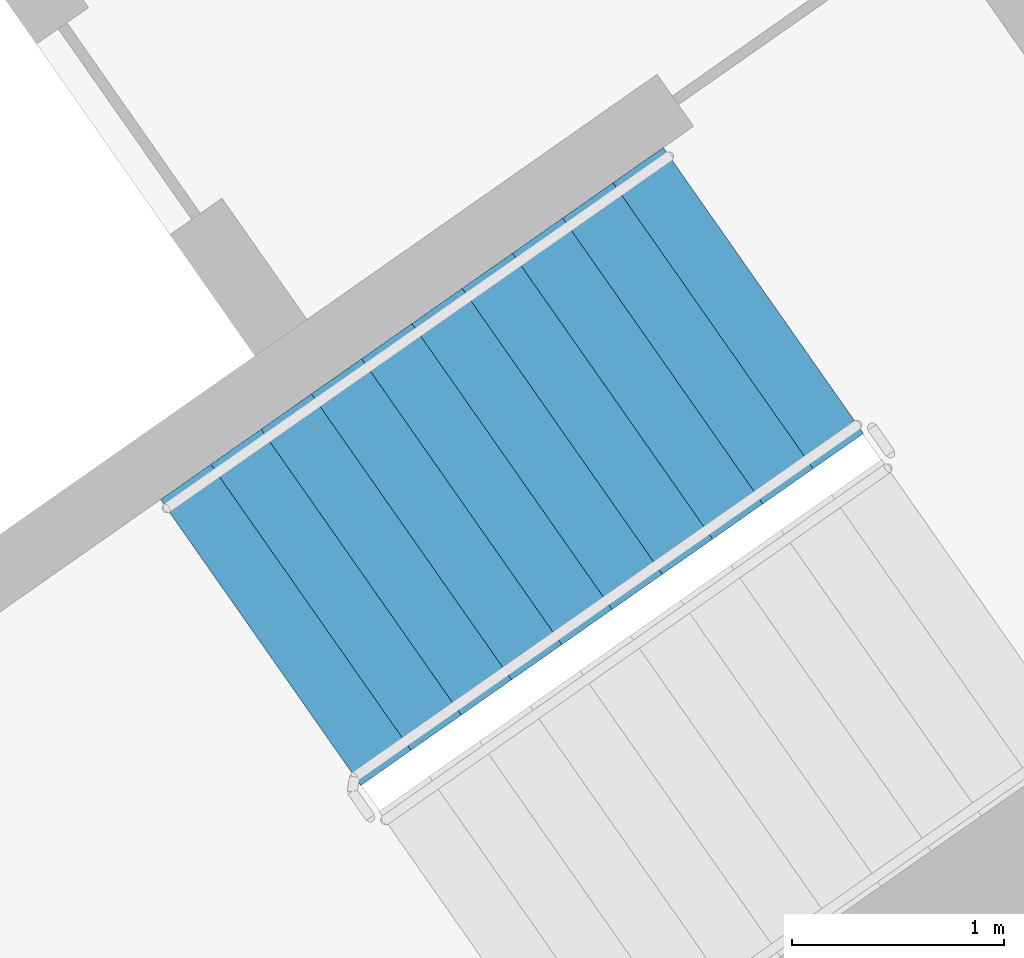
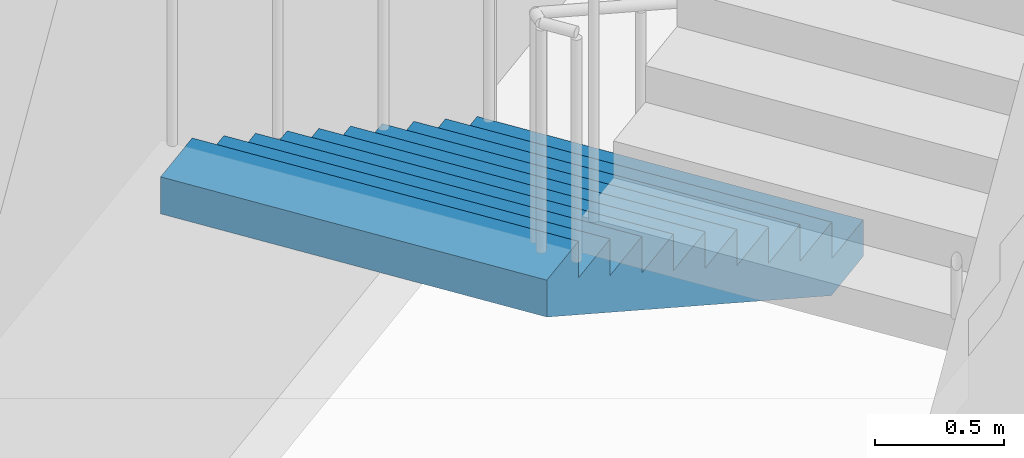
# One storey, part 15 of 28: 1 stair flight, 1 element without a shape of its own.
"""IFC4 building model written with IfcOpenShell, lengths in metres."""

from ifc_helpers import new_model, si_unit, direction, frame, origin, place, context, subcontext, project, spatial, faceted_brep, material, type_object, element, aggregate, save


model = new_model("IFC4")

# Units and contexts
model_context = context("Model", 3, precision=1e-05, world=origin(), true_north=direction((0.0, 1.0)))
body_context = subcontext(model_context, "Body", "Model", "MODEL_VIEW")
ifc_project = project(units=[si_unit("LENGTHUNIT", "METRE"), si_unit("AREAUNIT", "SQUARE_METRE"), si_unit("VOLUMEUNIT", "CUBIC_METRE"), si_unit("PLANEANGLEUNIT", "RADIAN"), si_unit("MASSUNIT", "GRAM", prefix="KILO")], contexts=[model_context])

# Site, building, storey
site_placement = place(None, origin())
site = spatial("IfcSite", under=ifc_project, at=site_placement, CompositionType="ELEMENT")
building_placement = place(site_placement, origin())
building = spatial("IfcBuilding", under=site, at=building_placement, Name="Qamariyya Broadcast Tower", CompositionType="ELEMENT")
storey_placement = place(building_placement, frame((0.0, 0.0, 269.5)))
storey = spatial("IfcBuildingStorey", under=building, at=storey_placement, Name="L65", CompositionType="ELEMENT", Elevation=269.5)

# Stair, stair flight
ifc_material = material(Name="Concrete C50/60", Category="concrete")
stair_type = type_object("IfcStairType", Name="Exit stair 22 risers of 173 mm", PredefinedType="HALF_TURN_STAIR", material=ifc_material)
stair_placement = place(storey_placement, origin())
stair = element("IfcStair", 1, at=stair_placement, inside=storey, type_object=stair_type, Name="L65 Stair E1", PredefinedType="HALF_TURN_STAIR")
stair_flight_type = type_object("IfcStairFlightType", Name="Exit stair flight 11 risers of 173 mm", PredefinedType="STRAIGHT", material=ifc_material)
stair_flight_placement = place(storey_placement, frame((46.036376953125, -55.508056640625, 0.0), z_axis=(0.0, 0.0, 1.0), x_axis=(-0.819152044289, -0.573576436351, 0.0)))
stair_flight = element("IfcStairFlight", 2, at=stair_flight_placement, type_object=stair_flight_type, Name="ST-E1 flight 1", NumberOfRisers=11, NumberOfTreads=10, PredefinedType="STRAIGHT", RiserHeight=0.172727273, TreadLength=0.29, context=body_context, shape_type="Brep", body=[
    faceted_brep([(0.0, 0.824951171875, 0.0), (0.0, 0.824951171875, 0.172607421875), (0.2900390625, 0.824951171875, 0.172607421875), (0.2900390625, 0.824951171875, 0.345458984375), (0.580078125, 0.824951171875, 0.345458984375), (0.580078125, 0.824951171875, 0.51806640625), (0.8701171875, 0.824951171875, 0.51806640625), (0.8701171875, 0.824951171875, 0.69091796875), (1.159912109375, 0.824951171875, 0.69091796875), (1.159912109375, 0.824951171875, 0.863525390625), (1.449951171875, 0.824951171875, 0.863525390625), (1.449951171875, 0.824951171875, 1.036376953125), (1.739990234375, 0.824951171875, 1.036376953125), (1.739990234375, 0.824951171875, 1.208984375), (2.030029296875, 0.824951171875, 1.208984375), (2.030029296875, 0.824951171875, 1.3818359375), (2.320068359375, 0.824951171875, 1.3818359375), (2.320068359375, 0.824951171875, 1.554443359375), (2.610107421875, 0.824951171875, 1.554443359375), (2.610107421875, 0.824951171875, 1.727294921875), (2.89990234375, 0.824951171875, 1.727294921875), (2.89990234375, 0.824951171875, 1.552734375), (0.29296875, 0.824951171875, 0.0), (0.29296875, -0.824951171875, 0.0), (2.89990234375, -0.824951171875, 1.552734375), (2.89990234375, -0.824951171875, 1.727294921875), (2.610107421875, -0.824951171875, 1.727294921875), (2.610107421875, -0.824951171875, 1.554443359375), (2.320068359375, -0.824951171875, 1.554443359375), (2.320068359375, -0.824951171875, 1.3818359375), (2.030029296875, -0.824951171875, 1.3818359375), (2.030029296875, -0.824951171875, 1.208984375), (1.739990234375, -0.824951171875, 1.208984375), (1.739990234375, -0.824951171875, 1.036376953125), (1.449951171875, -0.824951171875, 1.036376953125), (1.449951171875, -0.824951171875, 0.863525390625), (1.159912109375, -0.824951171875, 0.863525390625), (1.159912109375, -0.824951171875, 0.69091796875), (0.8701171875, -0.824951171875, 0.69091796875), (0.8701171875, -0.824951171875, 0.51806640625), (0.580078125, -0.824951171875, 0.51806640625), (0.580078125, -0.824951171875, 0.345458984375), (0.2900390625, -0.824951171875, 0.345458984375), (0.2900390625, -0.824951171875, 0.172607421875), (0.0, -0.824951171875, 0.172607421875), (0.0, -0.824951171875, 0.0), (0.0, 0.10009765625, 0.0), (0.0, 0.086669921875, 0.0), (0.0, 0.0732421875, 0.0), (0.0, 0.06005859375, 0.0), (0.0, 0.046630859375, 0.0), (0.0, 0.033447265625, 0.0), (0.0, 0.02001953125, 0.0), (0.0, 0.006591796875, 0.0), (0.0, -0.006591796875, 0.0), (0.0, -0.02001953125, 0.0), (0.0, -0.033447265625, 0.0), (0.0, -0.046630859375, 0.0), (0.0, -0.06005859375, 0.0), (0.0, -0.0732421875, 0.0), (0.0, -0.086669921875, 0.0), (0.0, -0.10009765625, 0.0), (0.0, -0.10009765625, 0.172607421875), (0.0, -0.086669921875, 0.172607421875), (0.0, -0.0732421875, 0.172607421875), (0.0, -0.06005859375, 0.172607421875), (0.0, -0.046630859375, 0.172607421875), (0.0, -0.033447265625, 0.172607421875), (0.0, -0.02001953125, 0.172607421875), (0.0, -0.006591796875, 0.172607421875), (0.0, 0.006591796875, 0.172607421875), (0.0, 0.02001953125, 0.172607421875), (0.0, 0.033447265625, 0.172607421875), (0.0, 0.046630859375, 0.172607421875), (0.0, 0.06005859375, 0.172607421875), (0.0, 0.0732421875, 0.172607421875), (0.0, 0.086669921875, 0.172607421875), (0.0, 0.10009765625, 0.172607421875), (0.2900390625, -0.10009765625, 0.172607421875), (0.2900390625, -0.086669921875, 0.172607421875), (0.2900390625, -0.0732421875, 0.172607421875), (0.2900390625, -0.06005859375, 0.172607421875), (0.2900390625, -0.046630859375, 0.172607421875), (0.2900390625, -0.033447265625, 0.172607421875), (0.2900390625, -0.02001953125, 0.172607421875), (0.2900390625, -0.006591796875, 0.172607421875), (0.2900390625, 0.006591796875, 0.172607421875), (0.2900390625, 0.02001953125, 0.172607421875), (0.2900390625, 0.033447265625, 0.172607421875), (0.2900390625, 0.046630859375, 0.172607421875), (0.2900390625, 0.06005859375, 0.172607421875), (0.2900390625, 0.0732421875, 0.172607421875), (0.2900390625, 0.086669921875, 0.172607421875), (0.2900390625, 0.10009765625, 0.172607421875), (0.2900390625, -0.10009765625, 0.345458984375), (0.2900390625, -0.086669921875, 0.345458984375), (0.2900390625, -0.0732421875, 0.345458984375), (0.2900390625, -0.06005859375, 0.345458984375), (0.2900390625, -0.046630859375, 0.345458984375), (0.2900390625, -0.033447265625, 0.345458984375), (0.2900390625, -0.02001953125, 0.345458984375), (0.2900390625, -0.006591796875, 0.345458984375), (0.2900390625, 0.006591796875, 0.345458984375), (0.2900390625, 0.02001953125, 0.345458984375), (0.2900390625, 0.033447265625, 0.345458984375), (0.2900390625, 0.046630859375, 0.345458984375), (0.2900390625, 0.06005859375, 0.345458984375), (0.2900390625, 0.0732421875, 0.345458984375), (0.2900390625, 0.086669921875, 0.345458984375), (0.2900390625, 0.10009765625, 0.345458984375), (0.580078125, -0.10009765625, 0.345458984375), (0.580078125, -0.086669921875, 0.345458984375), (0.580078125, -0.0732421875, 0.345458984375), (0.580078125, -0.06005859375, 0.345458984375), (0.580078125, -0.046630859375, 0.345458984375), (0.580078125, -0.033447265625, 0.345458984375), (0.580078125, -0.02001953125, 0.345458984375), (0.580078125, -0.006591796875, 0.345458984375), (0.580078125, 0.006591796875, 0.345458984375), (0.580078125, 0.02001953125, 0.345458984375), (0.580078125, 0.033447265625, 0.345458984375), (0.580078125, 0.046630859375, 0.345458984375), (0.580078125, 0.06005859375, 0.345458984375), (0.580078125, 0.0732421875, 0.345458984375), (0.580078125, 0.086669921875, 0.345458984375), (0.580078125, 0.10009765625, 0.345458984375), (0.580078125, -0.10009765625, 0.51806640625), (0.580078125, -0.086669921875, 0.51806640625), (0.580078125, -0.0732421875, 0.51806640625), (0.580078125, -0.06005859375, 0.51806640625), (0.580078125, -0.046630859375, 0.51806640625), (0.580078125, -0.033447265625, 0.51806640625), (0.580078125, -0.02001953125, 0.51806640625), (0.580078125, -0.006591796875, 0.51806640625), (0.580078125, 0.006591796875, 0.51806640625), (0.580078125, 0.02001953125, 0.51806640625), (0.580078125, 0.033447265625, 0.51806640625), (0.580078125, 0.046630859375, 0.51806640625), (0.580078125, 0.06005859375, 0.51806640625), (0.580078125, 0.0732421875, 0.51806640625), (0.580078125, 0.086669921875, 0.51806640625), (0.580078125, 0.10009765625, 0.51806640625), (0.8701171875, -0.10009765625, 0.51806640625), (0.8701171875, -0.086669921875, 0.51806640625), (0.8701171875, -0.0732421875, 0.51806640625), (0.8701171875, -0.06005859375, 0.51806640625), (0.8701171875, -0.046630859375, 0.51806640625), (0.8701171875, -0.033447265625, 0.51806640625), (0.8701171875, -0.02001953125, 0.51806640625), (0.8701171875, -0.006591796875, 0.51806640625), (0.8701171875, 0.006591796875, 0.51806640625), (0.8701171875, 0.02001953125, 0.51806640625), (0.8701171875, 0.033447265625, 0.51806640625), (0.8701171875, 0.046630859375, 0.51806640625), (0.8701171875, 0.06005859375, 0.51806640625), (0.8701171875, 0.0732421875, 0.51806640625), (0.8701171875, 0.086669921875, 0.51806640625), (0.8701171875, 0.10009765625, 0.51806640625), (0.8701171875, -0.10009765625, 0.69091796875), (0.8701171875, -0.086669921875, 0.69091796875), (0.8701171875, -0.0732421875, 0.69091796875), (0.8701171875, -0.06005859375, 0.69091796875), (0.8701171875, -0.046630859375, 0.69091796875), (0.8701171875, -0.033447265625, 0.69091796875), (0.8701171875, -0.02001953125, 0.69091796875), (0.8701171875, -0.006591796875, 0.69091796875), (0.8701171875, 0.006591796875, 0.69091796875), (0.8701171875, 0.02001953125, 0.69091796875), (0.8701171875, 0.033447265625, 0.69091796875), (0.8701171875, 0.046630859375, 0.69091796875), (0.8701171875, 0.06005859375, 0.69091796875), (0.8701171875, 0.0732421875, 0.69091796875), (0.8701171875, 0.086669921875, 0.69091796875), (0.8701171875, 0.10009765625, 0.69091796875), (1.159912109375, -0.10009765625, 0.69091796875), (1.159912109375, -0.086669921875, 0.69091796875), (1.159912109375, -0.0732421875, 0.69091796875), (1.159912109375, -0.06005859375, 0.69091796875), (1.159912109375, -0.046630859375, 0.69091796875), (1.159912109375, -0.033447265625, 0.69091796875), (1.159912109375, -0.02001953125, 0.69091796875), (1.159912109375, -0.006591796875, 0.69091796875), (1.159912109375, 0.006591796875, 0.69091796875), (1.159912109375, 0.02001953125, 0.69091796875), (1.159912109375, 0.033447265625, 0.69091796875), (1.159912109375, 0.046630859375, 0.69091796875), (1.159912109375, 0.06005859375, 0.69091796875), (1.159912109375, 0.0732421875, 0.69091796875), (1.159912109375, 0.086669921875, 0.69091796875), (1.159912109375, 0.10009765625, 0.69091796875), (1.159912109375, -0.10009765625, 0.863525390625), (1.159912109375, -0.086669921875, 0.863525390625), (1.159912109375, -0.0732421875, 0.863525390625), (1.159912109375, -0.06005859375, 0.863525390625), (1.159912109375, -0.046630859375, 0.863525390625), (1.159912109375, -0.033447265625, 0.863525390625), (1.159912109375, -0.02001953125, 0.863525390625), (1.159912109375, -0.006591796875, 0.863525390625), (1.159912109375, 0.006591796875, 0.863525390625), (1.159912109375, 0.02001953125, 0.863525390625), (1.159912109375, 0.033447265625, 0.863525390625), (1.159912109375, 0.046630859375, 0.863525390625), (1.159912109375, 0.06005859375, 0.863525390625), (1.159912109375, 0.0732421875, 0.863525390625), (1.159912109375, 0.086669921875, 0.863525390625), (1.159912109375, 0.10009765625, 0.863525390625), (1.449951171875, -0.10009765625, 0.863525390625), (1.449951171875, -0.086669921875, 0.863525390625), (1.449951171875, -0.0732421875, 0.863525390625), (1.449951171875, -0.06005859375, 0.863525390625), (1.449951171875, -0.046630859375, 0.863525390625), (1.449951171875, -0.033447265625, 0.863525390625), (1.449951171875, -0.02001953125, 0.863525390625), (1.449951171875, -0.006591796875, 0.863525390625), (1.449951171875, 0.006591796875, 0.863525390625), (1.449951171875, 0.02001953125, 0.863525390625), (1.449951171875, 0.033447265625, 0.863525390625), (1.449951171875, 0.046630859375, 0.863525390625), (1.449951171875, 0.06005859375, 0.863525390625), (1.449951171875, 0.0732421875, 0.863525390625), (1.449951171875, 0.086669921875, 0.863525390625), (1.449951171875, 0.10009765625, 0.863525390625), (1.449951171875, -0.10009765625, 1.036376953125), (1.449951171875, -0.086669921875, 1.036376953125), (1.449951171875, -0.0732421875, 1.036376953125), (1.449951171875, -0.06005859375, 1.036376953125), (1.449951171875, -0.046630859375, 1.036376953125), (1.449951171875, -0.033447265625, 1.036376953125), (1.449951171875, -0.02001953125, 1.036376953125), (1.449951171875, -0.006591796875, 1.036376953125), (1.449951171875, 0.006591796875, 1.036376953125), (1.449951171875, 0.02001953125, 1.036376953125), (1.449951171875, 0.033447265625, 1.036376953125), (1.449951171875, 0.046630859375, 1.036376953125), (1.449951171875, 0.06005859375, 1.036376953125), (1.449951171875, 0.0732421875, 1.036376953125), (1.449951171875, 0.086669921875, 1.036376953125), (1.449951171875, 0.10009765625, 1.036376953125), (1.739990234375, -0.10009765625, 1.036376953125), (1.739990234375, -0.086669921875, 1.036376953125), (1.739990234375, -0.0732421875, 1.036376953125), (1.739990234375, -0.06005859375, 1.036376953125), (1.739990234375, -0.046630859375, 1.036376953125), (1.739990234375, -0.033447265625, 1.036376953125), (1.739990234375, -0.02001953125, 1.036376953125), (1.739990234375, -0.006591796875, 1.036376953125), (1.739990234375, 0.006591796875, 1.036376953125), (1.739990234375, 0.02001953125, 1.036376953125), (1.739990234375, 0.033447265625, 1.036376953125), (1.739990234375, 0.046630859375, 1.036376953125), (1.739990234375, 0.06005859375, 1.036376953125), (1.739990234375, 0.0732421875, 1.036376953125), (1.739990234375, 0.086669921875, 1.036376953125), (1.739990234375, 0.10009765625, 1.036376953125), (1.739990234375, -0.10009765625, 1.208984375), (1.739990234375, -0.086669921875, 1.208984375), (1.739990234375, -0.0732421875, 1.208984375), (1.739990234375, -0.06005859375, 1.208984375), (1.739990234375, -0.046630859375, 1.208984375), (1.739990234375, -0.033447265625, 1.208984375), (1.739990234375, -0.02001953125, 1.208984375), (1.739990234375, -0.006591796875, 1.208984375), (1.739990234375, 0.006591796875, 1.208984375), (1.739990234375, 0.02001953125, 1.208984375), (1.739990234375, 0.033447265625, 1.208984375), (1.739990234375, 0.046630859375, 1.208984375), (1.739990234375, 0.06005859375, 1.208984375), (1.739990234375, 0.0732421875, 1.208984375), (1.739990234375, 0.086669921875, 1.208984375), (1.739990234375, 0.10009765625, 1.208984375), (2.030029296875, -0.10009765625, 1.208984375), (2.030029296875, -0.086669921875, 1.208984375), (2.030029296875, -0.0732421875, 1.208984375), (2.030029296875, -0.06005859375, 1.208984375), (2.030029296875, -0.046630859375, 1.208984375), (2.030029296875, -0.033447265625, 1.208984375), (2.030029296875, -0.02001953125, 1.208984375), (2.030029296875, -0.006591796875, 1.208984375), (2.030029296875, 0.006591796875, 1.208984375), (2.030029296875, 0.02001953125, 1.208984375), (2.030029296875, 0.033447265625, 1.208984375), (2.030029296875, 0.046630859375, 1.208984375), (2.030029296875, 0.06005859375, 1.208984375), (2.030029296875, 0.0732421875, 1.208984375), (2.030029296875, 0.086669921875, 1.208984375), (2.030029296875, 0.10009765625, 1.208984375), (2.030029296875, -0.10009765625, 1.3818359375), (2.030029296875, -0.086669921875, 1.3818359375), (2.030029296875, -0.0732421875, 1.3818359375), (2.030029296875, -0.06005859375, 1.3818359375), (2.030029296875, -0.046630859375, 1.3818359375), (2.030029296875, -0.033447265625, 1.3818359375), (2.030029296875, -0.02001953125, 1.3818359375), (2.030029296875, -0.006591796875, 1.3818359375), (2.030029296875, 0.006591796875, 1.3818359375), (2.030029296875, 0.02001953125, 1.3818359375), (2.030029296875, 0.033447265625, 1.3818359375), (2.030029296875, 0.046630859375, 1.3818359375), (2.030029296875, 0.06005859375, 1.3818359375), (2.030029296875, 0.0732421875, 1.3818359375), (2.030029296875, 0.086669921875, 1.3818359375), (2.030029296875, 0.10009765625, 1.3818359375), (2.320068359375, -0.10009765625, 1.3818359375), (2.320068359375, -0.086669921875, 1.3818359375), (2.320068359375, -0.0732421875, 1.3818359375), (2.320068359375, -0.06005859375, 1.3818359375), (2.320068359375, -0.046630859375, 1.3818359375), (2.320068359375, -0.033447265625, 1.3818359375), (2.320068359375, -0.02001953125, 1.3818359375), (2.320068359375, -0.006591796875, 1.3818359375), (2.320068359375, 0.006591796875, 1.3818359375), (2.320068359375, 0.02001953125, 1.3818359375), (2.320068359375, 0.033447265625, 1.3818359375), (2.320068359375, 0.046630859375, 1.3818359375), (2.320068359375, 0.06005859375, 1.3818359375), (2.320068359375, 0.0732421875, 1.3818359375), (2.320068359375, 0.086669921875, 1.3818359375), (2.320068359375, 0.10009765625, 1.3818359375), (2.320068359375, -0.10009765625, 1.554443359375), (2.320068359375, -0.086669921875, 1.554443359375), (2.320068359375, -0.0732421875, 1.554443359375), (2.320068359375, -0.06005859375, 1.554443359375), (2.320068359375, -0.046630859375, 1.554443359375), (2.320068359375, -0.033447265625, 1.554443359375), (2.320068359375, -0.02001953125, 1.554443359375), (2.320068359375, -0.006591796875, 1.554443359375), (2.320068359375, 0.006591796875, 1.554443359375), (2.320068359375, 0.02001953125, 1.554443359375), (2.320068359375, 0.033447265625, 1.554443359375), (2.320068359375, 0.046630859375, 1.554443359375), (2.320068359375, 0.06005859375, 1.554443359375), (2.320068359375, 0.0732421875, 1.554443359375), (2.320068359375, 0.086669921875, 1.554443359375), (2.320068359375, 0.10009765625, 1.554443359375), (2.610107421875, -0.10009765625, 1.554443359375), (2.610107421875, -0.086669921875, 1.554443359375), (2.610107421875, -0.0732421875, 1.554443359375), (2.610107421875, -0.06005859375, 1.554443359375), (2.610107421875, -0.046630859375, 1.554443359375), (2.610107421875, -0.033447265625, 1.554443359375), (2.610107421875, -0.02001953125, 1.554443359375), (2.610107421875, -0.006591796875, 1.554443359375), (2.610107421875, 0.006591796875, 1.554443359375), (2.610107421875, 0.02001953125, 1.554443359375), (2.610107421875, 0.033447265625, 1.554443359375), (2.610107421875, 0.046630859375, 1.554443359375), (2.610107421875, 0.06005859375, 1.554443359375), (2.610107421875, 0.0732421875, 1.554443359375), (2.610107421875, 0.086669921875, 1.554443359375), (2.610107421875, 0.10009765625, 1.554443359375), (2.610107421875, -0.10009765625, 1.727294921875), (2.610107421875, -0.086669921875, 1.727294921875), (2.610107421875, -0.0732421875, 1.727294921875), (2.610107421875, -0.06005859375, 1.727294921875), (2.610107421875, -0.046630859375, 1.727294921875), (2.610107421875, -0.033447265625, 1.727294921875), (2.610107421875, -0.02001953125, 1.727294921875), (2.610107421875, -0.006591796875, 1.727294921875), (2.610107421875, 0.006591796875, 1.727294921875), (2.610107421875, 0.02001953125, 1.727294921875), (2.610107421875, 0.033447265625, 1.727294921875), (2.610107421875, 0.046630859375, 1.727294921875), (2.610107421875, 0.06005859375, 1.727294921875), (2.610107421875, 0.0732421875, 1.727294921875), (2.610107421875, 0.086669921875, 1.727294921875), (2.610107421875, 0.10009765625, 1.727294921875), (2.89990234375, -0.10009765625, 1.727294921875), (2.89990234375, -0.086669921875, 1.727294921875), (2.89990234375, -0.0732421875, 1.727294921875), (2.89990234375, -0.06005859375, 1.727294921875), (2.89990234375, -0.046630859375, 1.727294921875), (2.89990234375, -0.033447265625, 1.727294921875), (2.89990234375, -0.02001953125, 1.727294921875), (2.89990234375, -0.006591796875, 1.727294921875), (2.89990234375, 0.006591796875, 1.727294921875), (2.89990234375, 0.02001953125, 1.727294921875), (2.89990234375, 0.033447265625, 1.727294921875), (2.89990234375, 0.046630859375, 1.727294921875), (2.89990234375, 0.06005859375, 1.727294921875), (2.89990234375, 0.0732421875, 1.727294921875), (2.89990234375, 0.086669921875, 1.727294921875), (2.89990234375, 0.10009765625, 1.727294921875), (2.89990234375, -0.10009765625, 1.552734375), (2.89990234375, -0.086669921875, 1.552734375), (2.89990234375, -0.0732421875, 1.552734375), (2.89990234375, -0.06005859375, 1.552734375), (2.89990234375, -0.046630859375, 1.552734375), (2.89990234375, -0.033447265625, 1.552734375), (2.89990234375, -0.02001953125, 1.552734375), (2.89990234375, -0.006591796875, 1.552734375), (2.89990234375, 0.006591796875, 1.552734375), (2.89990234375, 0.02001953125, 1.552734375), (2.89990234375, 0.033447265625, 1.552734375), (2.89990234375, 0.046630859375, 1.552734375), (2.89990234375, 0.06005859375, 1.552734375), (2.89990234375, 0.0732421875, 1.552734375), (2.89990234375, 0.086669921875, 1.552734375), (2.89990234375, 0.10009765625, 1.552734375), (0.29296875, -0.10009765625, 0.0), (0.29296875, -0.086669921875, 0.0), (0.29296875, -0.0732421875, 0.0), (0.29296875, -0.06005859375, 0.0), (0.29296875, -0.046630859375, 0.0), (0.29296875, -0.033447265625, 0.0), (0.29296875, -0.02001953125, 0.0), (0.29296875, -0.006591796875, 0.0), (0.29296875, 0.006591796875, 0.0), (0.29296875, 0.02001953125, 0.0), (0.29296875, 0.033447265625, 0.0), (0.29296875, 0.046630859375, 0.0), (0.29296875, 0.06005859375, 0.0), (0.29296875, 0.0732421875, 0.0), (0.29296875, 0.086669921875, 0.0), (0.29296875, 0.10009765625, 0.0)], [[[0, 1, 2, 3, 4, 5, 6, 7, 8, 9, 10, 11, 12, 13, 14, 15, 16, 17, 18, 19, 20, 21, 22]], [[23, 24, 25, 26, 27, 28, 29, 30, 31, 32, 33, 34, 35, 36, 37, 38, 39, 40, 41, 42, 43, 44, 45]], [[0, 46, 47, 48, 49, 50, 51, 52, 53, 54, 55, 56, 57, 58, 59, 60, 61, 45, 44, 62, 63, 64, 65, 66, 67, 68, 69, 70, 71, 72, 73, 74, 75, 76, 77, 1]], [[1, 77, 76, 75, 74, 73, 72, 71, 70, 69, 68, 67, 66, 65, 64, 63, 62, 44, 43, 78, 79, 80, 81, 82, 83, 84, 85, 86, 87, 88, 89, 90, 91, 92, 93, 2]], [[2, 93, 92, 91, 90, 89, 88, 87, 86, 85, 84, 83, 82, 81, 80, 79, 78, 43, 42, 94, 95, 96, 97, 98, 99, 100, 101, 102, 103, 104, 105, 106, 107, 108, 109, 3]], [[3, 109, 108, 107, 106, 105, 104, 103, 102, 101, 100, 99, 98, 97, 96, 95, 94, 42, 41, 110, 111, 112, 113, 114, 115, 116, 117, 118, 119, 120, 121, 122, 123, 124, 125, 4]], [[4, 125, 124, 123, 122, 121, 120, 119, 118, 117, 116, 115, 114, 113, 112, 111, 110, 41, 40, 126, 127, 128, 129, 130, 131, 132, 133, 134, 135, 136, 137, 138, 139, 140, 141, 5]], [[5, 141, 140, 139, 138, 137, 136, 135, 134, 133, 132, 131, 130, 129, 128, 127, 126, 40, 39, 142, 143, 144, 145, 146, 147, 148, 149, 150, 151, 152, 153, 154, 155, 156, 157, 6]], [[6, 157, 156, 155, 154, 153, 152, 151, 150, 149, 148, 147, 146, 145, 144, 143, 142, 39, 38, 158, 159, 160, 161, 162, 163, 164, 165, 166, 167, 168, 169, 170, 171, 172, 173, 7]], [[7, 173, 172, 171, 170, 169, 168, 167, 166, 165, 164, 163, 162, 161, 160, 159, 158, 38, 37, 174, 175, 176, 177, 178, 179, 180, 181, 182, 183, 184, 185, 186, 187, 188, 189, 8]], [[8, 189, 188, 187, 186, 185, 184, 183, 182, 181, 180, 179, 178, 177, 176, 175, 174, 37, 36, 190, 191, 192, 193, 194, 195, 196, 197, 198, 199, 200, 201, 202, 203, 204, 205, 9]], [[9, 205, 204, 203, 202, 201, 200, 199, 198, 197, 196, 195, 194, 193, 192, 191, 190, 36, 35, 206, 207, 208, 209, 210, 211, 212, 213, 214, 215, 216, 217, 218, 219, 220, 221, 10]], [[10, 221, 220, 219, 218, 217, 216, 215, 214, 213, 212, 211, 210, 209, 208, 207, 206, 35, 34, 222, 223, 224, 225, 226, 227, 228, 229, 230, 231, 232, 233, 234, 235, 236, 237, 11]], [[11, 237, 236, 235, 234, 233, 232, 231, 230, 229, 228, 227, 226, 225, 224, 223, 222, 34, 33, 238, 239, 240, 241, 242, 243, 244, 245, 246, 247, 248, 249, 250, 251, 252, 253, 12]], [[12, 253, 252, 251, 250, 249, 248, 247, 246, 245, 244, 243, 242, 241, 240, 239, 238, 33, 32, 254, 255, 256, 257, 258, 259, 260, 261, 262, 263, 264, 265, 266, 267, 268, 269, 13]], [[13, 269, 268, 267, 266, 265, 264, 263, 262, 261, 260, 259, 258, 257, 256, 255, 254, 32, 31, 270, 271, 272, 273, 274, 275, 276, 277, 278, 279, 280, 281, 282, 283, 284, 285, 14]], [[14, 285, 284, 283, 282, 281, 280, 279, 278, 277, 276, 275, 274, 273, 272, 271, 270, 31, 30, 286, 287, 288, 289, 290, 291, 292, 293, 294, 295, 296, 297, 298, 299, 300, 301, 15]], [[15, 301, 300, 299, 298, 297, 296, 295, 294, 293, 292, 291, 290, 289, 288, 287, 286, 30, 29, 302, 303, 304, 305, 306, 307, 308, 309, 310, 311, 312, 313, 314, 315, 316, 317, 16]], [[16, 317, 316, 315, 314, 313, 312, 311, 310, 309, 308, 307, 306, 305, 304, 303, 302, 29, 28, 318, 319, 320, 321, 322, 323, 324, 325, 326, 327, 328, 329, 330, 331, 332, 333, 17]], [[17, 333, 332, 331, 330, 329, 328, 327, 326, 325, 324, 323, 322, 321, 320, 319, 318, 28, 27, 334, 335, 336, 337, 338, 339, 340, 341, 342, 343, 344, 345, 346, 347, 348, 349, 18]], [[18, 349, 348, 347, 346, 345, 344, 343, 342, 341, 340, 339, 338, 337, 336, 335, 334, 27, 26, 350, 351, 352, 353, 354, 355, 356, 357, 358, 359, 360, 361, 362, 363, 364, 365, 19]], [[19, 365, 364, 363, 362, 361, 360, 359, 358, 357, 356, 355, 354, 353, 352, 351, 350, 26, 25, 366, 367, 368, 369, 370, 371, 372, 373, 374, 375, 376, 377, 378, 379, 380, 381, 20]], [[20, 381, 380, 379, 378, 377, 376, 375, 374, 373, 372, 371, 370, 369, 368, 367, 366, 25, 24, 382, 383, 384, 385, 386, 387, 388, 389, 390, 391, 392, 393, 394, 395, 396, 397, 21]], [[21, 397, 396, 395, 394, 393, 392, 391, 390, 389, 388, 387, 386, 385, 384, 383, 382, 24, 23, 398, 399, 400, 401, 402, 403, 404, 405, 406, 407, 408, 409, 410, 411, 412, 413, 22]], [[22, 413, 412, 411, 410, 409, 408, 407, 406, 405, 404, 403, 402, 401, 400, 399, 398, 23, 45, 61, 60, 59, 58, 57, 56, 55, 54, 53, 52, 51, 50, 49, 48, 47, 46, 0]]]),
])
aggregate(stair, [stair_flight])

save(model, "model.ifc")
